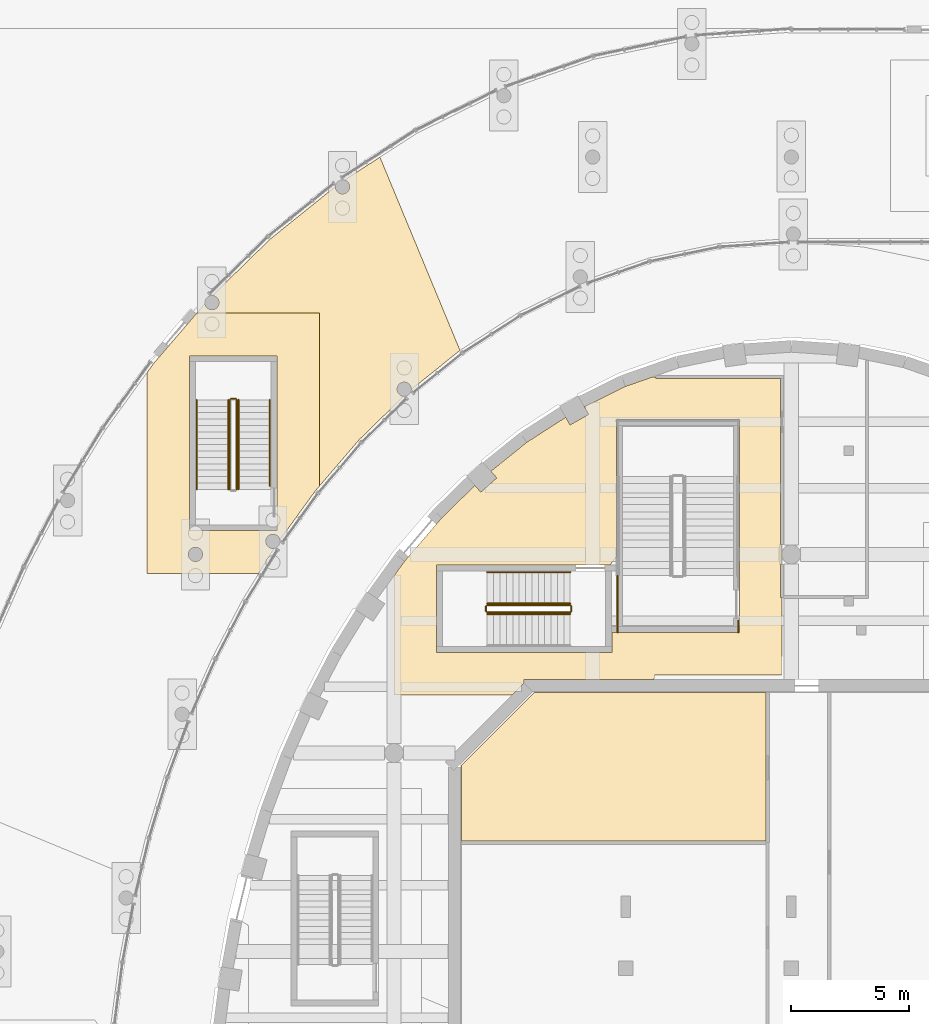
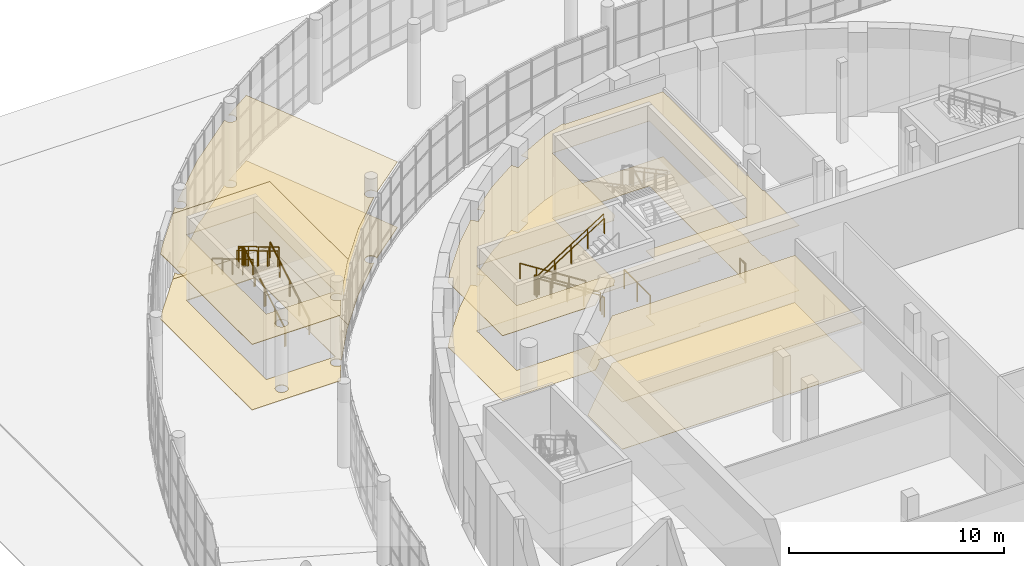
# One storey, part 100 of 110: 16 railings, 8 coverings.
"""IFC4 building model written with IfcOpenShell, lengths in metres."""

from ifc_helpers import new_model, si_unit, direction, frame, origin, origin_2d, place, context, subcontext, project, spatial, polyline, circle, outline, extrude, material, layer, layer_set, type_object, element, save


model = new_model("IFC4")

# Units and contexts
model_context = context("Model", 3, precision=1e-05, world=origin(), true_north=direction((0.0, 1.0)))
body_context = subcontext(model_context, "Body", "Model", "MODEL_VIEW")
ifc_project = project(units=[si_unit("LENGTHUNIT", "METRE"), si_unit("AREAUNIT", "SQUARE_METRE"), si_unit("VOLUMEUNIT", "CUBIC_METRE"), si_unit("PLANEANGLEUNIT", "RADIAN"), si_unit("MASSUNIT", "GRAM", prefix="KILO")], contexts=[model_context])

# Site, building, storey
site_placement = place(None, origin())
site = spatial("IfcSite", under=ifc_project, at=site_placement, CompositionType="ELEMENT")
building_placement = place(site_placement, origin())
building = spatial("IfcBuilding", under=site, at=building_placement, Name="Larchfold Concert Hall", CompositionType="ELEMENT")
storey_placement = place(building_placement, origin())
storey = spatial("IfcBuildingStorey", under=building, at=storey_placement, Name="L00", CompositionType="ELEMENT", Elevation=0.0)

# Coverings
ifc_material_1 = material(Name="Mineral fibre ceiling tile")
ifc_layer_1 = layer(ifc_material_1, 0.02001953125)
ifc_layer_set_1 = layer_set([ifc_layer_1], Name="Mineral fibre ceiling tile")
covering_type_1 = type_object("IfcCoveringType", Name="Ceiling mineral fibre tile 20", PredefinedType="CEILING", material=ifc_layer_set_1)
covering_1_placement = place(storey_placement, frame((0.0, 0.0, 2.68017578125)))
element("IfcCovering", 1, at=covering_1_placement, inside=storey, type_object=covering_type_1, Name="Ceiling Hall Store 02", PredefinedType="CEILING", context=body_context, shape_type="SweptSolid", body=[
    extrude(outline(polyline([(28.650146484375, 100.872314453125), (28.650146484375, 97.675048828125), (41.52490234375, 97.675048828125), (41.52490234375, 97.60009765625), (41.53759765625, 97.60009765625), (41.53759765625, 97.6201171875), (41.525146484375, 97.6201171875), (41.525146484375, 103.949951171875), (31.727783203125, 103.949951171875), (28.650146484375, 100.872314453125)])), origin(), (0.0, 0.0, 1.0), 0.02001953125),
])
covering_2_placement = place(storey_placement, frame((0.0, 0.0, 3.68017578125)))
element("IfcCovering", 2, at=covering_2_placement, inside=storey, type_object=covering_type_1, Name="Ceiling Undercroft Escape Corridor 08", PredefinedType="CEILING", context=body_context, shape_type="SweptSolid", body=[
    extrude(outline(polyline([(27.815185546875, 111.346435546875), (26.246337890625, 109.514892578125), (25.800048828125, 108.898681640625), (25.800048828125, 103.849853515625), (30.79638671875, 103.849853515625), (31.300048828125, 104.353515625), (31.300048828125, 104.5), (36.800048828125, 104.5), (36.80908203125, 104.699951171875), (42.199951171875, 104.699951171875), (42.199951171875, 107.97998046875), (42.137451171875, 107.97998046875), (42.137451171875, 109.380126953125), (42.199951171875, 109.380126953125), (42.199951171875, 110.219970703125), (42.137451171875, 110.219970703125), (42.137451171875, 117.237548828125), (36.8720703125, 117.235595703125), (36.8720703125, 117.300048828125), (36.717529296875, 117.300048828125), (35.591552734375, 116.907958984375), (33.841064453125, 116.04443359375), (34.025390625, 115.72021484375), (33.2431640625, 115.275390625), (33.057861328125, 115.600830078125), (31.41455078125, 114.541748046875), (29.889892578125, 113.314453125), (30.140869140625, 113.03271484375), (29.46875, 112.434326171875), (29.216796875, 112.717041015625), (27.815185546875, 111.346435546875)]), holes=[polyline([(34.94482421875, 109.37158203125), (35.199951171875, 109.690673828125), (35.199951171875, 115.5), (40.39990234375, 115.5), (40.39990234375, 106.5), (35.009765625, 106.491943359375), (35.010009765625, 105.658935546875), (35.0, 105.64990234375), (27.60009765625, 105.64990234375), (27.60009765625, 109.35009765625), (34.97412109375, 109.35009765625), (34.94482421875, 109.37158203125)])]), origin(), (0.0, 0.0, 1.0), 0.02001953125),
])
ifc_material_2 = material(Name="Plasterboard ceiling lining")
ifc_layer_2 = layer(ifc_material_2, 0.030029296875)
ifc_layer_set_2 = layer_set([ifc_layer_2], Name="Plasterboard ceiling lining")
covering_type_2 = type_object("IfcCoveringType", Name="Ceiling suspended plasterboard 30", PredefinedType="CEILING", material=ifc_layer_set_2)
covering_3_placement = place(storey_placement, frame((0.0, 0.0, 3.719970703125)))
element("IfcCovering", 3, at=covering_3_placement, inside=storey, type_object=covering_type_2, Name="Ceiling Foyer 01", PredefinedType="CEILING", context=body_context, shape_type="SweptSolid", body=[
    extrude(outline(polyline([(15.6357421875, 117.87939453125), (15.350341796875, 117.485595703125), (15.350830078125, 109.0009765625), (20.0810546875, 109.0009765625), (20.73046875, 110.056396484375), (20.638916015625, 110.0537109375), (20.563232421875, 110.073974609375), (20.495361328125, 110.113037109375), (20.43994140625, 110.16845703125), (20.418212890625, 110.201171875), (20.40087890625, 110.236328125), (20.380615234375, 110.31201171875), (20.380615234375, 110.39013671875), (20.40087890625, 110.4658203125), (20.43994140625, 110.53369140625), (20.495361328125, 110.589111328125), (20.563232421875, 110.628173828125), (20.600341796875, 110.640869140625), (20.677978515625, 110.651123046875), (20.755615234375, 110.640869140625), (20.827880859375, 110.61083984375), (20.89013671875, 110.563232421875), (20.937744140625, 110.5009765625), (20.970703125, 110.4140625), (22.4736328125, 112.489013671875), (22.6494140625, 112.694091796875), (22.649169921875, 119.9990234375), (17.451416015625, 119.999267578125), (15.6357421875, 117.87939453125)]), holes=[polyline([(17.14990234375, 110.800048828125), (17.14990234375, 118.199951171875), (20.842529296875, 118.199951171875), (20.85009765625, 118.196044921875), (20.85009765625, 110.800048828125), (17.14990234375, 110.800048828125)]), polyline([(17.187744140625, 109.587890625), (17.14013671875, 109.650146484375), (17.122802734375, 109.685302734375), (17.1025390625, 109.760986328125), (17.099853515625, 109.800048828125), (17.1025390625, 109.839111328125), (17.122802734375, 109.914794921875), (17.14013671875, 109.949951171875), (17.187744140625, 110.01220703125), (17.21728515625, 110.0380859375), (17.28515625, 110.0771484375), (17.36083984375, 110.097412109375), (17.39990234375, 110.10009765625), (17.43896484375, 110.097412109375), (17.5146484375, 110.0771484375), (17.58251953125, 110.0380859375), (17.612060546875, 110.01220703125), (17.65966796875, 109.949951171875), (17.677001953125, 109.914794921875), (17.697265625, 109.839111328125), (17.699951171875, 109.800048828125), (17.697265625, 109.760986328125), (17.677001953125, 109.685302734375), (17.65966796875, 109.650146484375), (17.612060546875, 109.587890625), (17.58251953125, 109.56201171875), (17.5146484375, 109.52294921875), (17.43896484375, 109.502685546875), (17.39990234375, 109.5), (17.36083984375, 109.502685546875), (17.28515625, 109.52294921875), (17.21728515625, 109.56201171875), (17.187744140625, 109.587890625)])]), origin(), (0.0, 0.0, 1.0), 0.030029296875),
])
covering_4_placement = place(storey_placement, frame((0.0, 0.0, 3.719970703125)))
element("IfcCovering", 4, at=covering_4_placement, inside=storey, type_object=covering_type_2, Name="Ceiling Winter Garden Concourse North West 01", PredefinedType="CEILING", context=body_context, shape_type="SweptSolid", body=[
    extrude(outline(polyline([(17.799560546875, 120.405517578125), (17.4521484375, 120.0), (22.64794921875, 119.996337890625), (22.650146484375, 112.69482421875), (24.3076171875, 114.630126953125), (26.20703125, 116.4873046875), (26.1142578125, 116.5087890625), (26.04638671875, 116.5478515625), (25.990966796875, 116.603271484375), (25.951904296875, 116.671142578125), (25.931640625, 116.746826171875), (25.931640625, 116.824951171875), (25.951904296875, 116.900634765625), (25.96923828125, 116.935791015625), (26.016845703125, 116.998046875), (26.0791015625, 117.045654296875), (26.1142578125, 117.06298828125), (26.18994140625, 117.083251953125), (26.26806640625, 117.083251953125), (26.34375, 117.06298828125), (26.41162109375, 117.02392578125), (26.467041015625, 116.968505859375), (26.48876953125, 116.935791015625), (26.518798828125, 116.863525390625), (26.528076171875, 116.77001953125), (28.5888671875, 118.4287109375), (25.203369140625, 126.599365234375), (23.699951171875, 125.63037109375), (23.77099609375, 125.600830078125), (23.8037109375, 125.5791015625), (23.859130859375, 125.523681640625), (23.898193359375, 125.455810546875), (23.91845703125, 125.380126953125), (23.91845703125, 125.302001953125), (23.898193359375, 125.226318359375), (23.859130859375, 125.158447265625), (23.8037109375, 125.10302734375), (23.73583984375, 125.06396484375), (23.66015625, 125.043701171875), (23.58203125, 125.043701171875), (23.50634765625, 125.06396484375), (23.47119140625, 125.081298828125), (23.408935546875, 125.12890625), (23.361328125, 125.191162109375), (23.331298828125, 125.263427734375), (23.322265625, 125.35791015625), (20.566650390625, 123.14013671875), (18.1162109375, 120.743896484375), (18.174560546875, 120.73486328125), (18.211669921875, 120.72216796875), (18.279541015625, 120.68310546875), (18.3349609375, 120.627685546875), (18.356689453125, 120.594970703125), (18.38671875, 120.522705078125), (18.39697265625, 120.445068359375), (18.394287109375, 120.406005859375), (18.3740234375, 120.330322265625), (18.3349609375, 120.262451171875), (18.279541015625, 120.20703125), (18.211669921875, 120.16796875), (18.135986328125, 120.147705078125), (18.057861328125, 120.147705078125), (17.982177734375, 120.16796875), (17.914306640625, 120.20703125), (17.85888671875, 120.262451171875), (17.81982421875, 120.330322265625), (17.799560546875, 120.405517578125)])), origin(), (0.0, 0.0, 1.0), 0.030029296875),
])
ifc_material_3 = material(Name="Polished terrazzo")
ifc_layer_3 = layer(ifc_material_3, 0.0400390625)
ifc_layer_set_3 = layer_set([ifc_layer_3], Name="Polished terrazzo")
covering_type_3 = type_object("IfcCoveringType", Name="Floor finish terrazzo 40", PredefinedType="FLOORING", material=ifc_layer_set_3)
covering_5_placement = place(storey_placement, origin())
element("IfcCovering", 5, at=covering_5_placement, inside=storey, type_object=covering_type_3, Name="Floor finish Foyer 01", PredefinedType="FLOORING", context=body_context, shape_type="SweptSolid", body=[
    extrude(outline(polyline([(15.6357421875, 117.87939453125), (15.350341796875, 117.485595703125), (15.350830078125, 109.0009765625), (20.0810546875, 109.0009765625), (20.73046875, 110.056396484375), (20.638916015625, 110.0537109375), (20.563232421875, 110.073974609375), (20.495361328125, 110.113037109375), (20.43994140625, 110.16845703125), (20.418212890625, 110.201171875), (20.40087890625, 110.236328125), (20.380615234375, 110.31201171875), (20.380615234375, 110.39013671875), (20.40087890625, 110.4658203125), (20.43994140625, 110.53369140625), (20.495361328125, 110.589111328125), (20.563232421875, 110.628173828125), (20.600341796875, 110.640869140625), (20.677978515625, 110.651123046875), (20.755615234375, 110.640869140625), (20.827880859375, 110.61083984375), (20.89013671875, 110.563232421875), (20.937744140625, 110.5009765625), (20.970703125, 110.4140625), (22.4736328125, 112.489013671875), (22.6494140625, 112.694091796875), (22.649169921875, 119.9990234375), (17.451416015625, 119.999267578125), (15.6357421875, 117.87939453125)]), holes=[polyline([(17.14990234375, 110.800048828125), (17.14990234375, 118.199951171875), (20.842529296875, 118.199951171875), (20.85009765625, 118.196044921875), (20.85009765625, 110.800048828125), (17.14990234375, 110.800048828125)]), polyline([(17.187744140625, 109.587890625), (17.14013671875, 109.650146484375), (17.122802734375, 109.685302734375), (17.1025390625, 109.760986328125), (17.099853515625, 109.800048828125), (17.1025390625, 109.839111328125), (17.122802734375, 109.914794921875), (17.14013671875, 109.949951171875), (17.187744140625, 110.01220703125), (17.21728515625, 110.0380859375), (17.28515625, 110.0771484375), (17.36083984375, 110.097412109375), (17.39990234375, 110.10009765625), (17.43896484375, 110.097412109375), (17.5146484375, 110.0771484375), (17.58251953125, 110.0380859375), (17.612060546875, 110.01220703125), (17.65966796875, 109.949951171875), (17.677001953125, 109.914794921875), (17.697265625, 109.839111328125), (17.699951171875, 109.800048828125), (17.697265625, 109.760986328125), (17.677001953125, 109.685302734375), (17.65966796875, 109.650146484375), (17.612060546875, 109.587890625), (17.58251953125, 109.56201171875), (17.5146484375, 109.52294921875), (17.43896484375, 109.502685546875), (17.39990234375, 109.5), (17.36083984375, 109.502685546875), (17.28515625, 109.52294921875), (17.21728515625, 109.56201171875), (17.187744140625, 109.587890625)])]), origin(), (0.0, 0.0, 1.0), 0.0400390625),
])
covering_6_placement = place(storey_placement, origin())
element("IfcCovering", 6, at=covering_6_placement, inside=storey, type_object=covering_type_3, Name="Floor finish Winter Garden Concourse North West 01", PredefinedType="FLOORING", context=body_context, shape_type="SweptSolid", body=[
    extrude(outline(polyline([(17.799560546875, 120.405517578125), (17.4521484375, 120.0), (22.64794921875, 119.996337890625), (22.650146484375, 112.69482421875), (24.3076171875, 114.630126953125), (26.20703125, 116.4873046875), (26.1142578125, 116.5087890625), (26.04638671875, 116.5478515625), (25.990966796875, 116.603271484375), (25.951904296875, 116.671142578125), (25.931640625, 116.746826171875), (25.931640625, 116.824951171875), (25.951904296875, 116.900634765625), (25.96923828125, 116.935791015625), (26.016845703125, 116.998046875), (26.0791015625, 117.045654296875), (26.1142578125, 117.06298828125), (26.18994140625, 117.083251953125), (26.26806640625, 117.083251953125), (26.34375, 117.06298828125), (26.41162109375, 117.02392578125), (26.467041015625, 116.968505859375), (26.48876953125, 116.935791015625), (26.518798828125, 116.863525390625), (26.528076171875, 116.77001953125), (28.5888671875, 118.4287109375), (25.203369140625, 126.599365234375), (23.699951171875, 125.63037109375), (23.77099609375, 125.600830078125), (23.8037109375, 125.5791015625), (23.859130859375, 125.523681640625), (23.898193359375, 125.455810546875), (23.91845703125, 125.380126953125), (23.91845703125, 125.302001953125), (23.898193359375, 125.226318359375), (23.859130859375, 125.158447265625), (23.8037109375, 125.10302734375), (23.73583984375, 125.06396484375), (23.66015625, 125.043701171875), (23.58203125, 125.043701171875), (23.50634765625, 125.06396484375), (23.47119140625, 125.081298828125), (23.408935546875, 125.12890625), (23.361328125, 125.191162109375), (23.331298828125, 125.263427734375), (23.322265625, 125.35791015625), (20.566650390625, 123.14013671875), (18.1162109375, 120.743896484375), (18.174560546875, 120.73486328125), (18.211669921875, 120.72216796875), (18.279541015625, 120.68310546875), (18.3349609375, 120.627685546875), (18.356689453125, 120.594970703125), (18.38671875, 120.522705078125), (18.39697265625, 120.445068359375), (18.394287109375, 120.406005859375), (18.3740234375, 120.330322265625), (18.3349609375, 120.262451171875), (18.279541015625, 120.20703125), (18.211669921875, 120.16796875), (18.135986328125, 120.147705078125), (18.057861328125, 120.147705078125), (17.982177734375, 120.16796875), (17.914306640625, 120.20703125), (17.85888671875, 120.262451171875), (17.81982421875, 120.330322265625), (17.799560546875, 120.405517578125)])), origin(), (0.0, 0.0, 1.0), 0.0400390625),
])
ifc_material_4 = material(Name="Linoleum sheet")
ifc_layer_4 = layer(ifc_material_4, 0.02001953125)
ifc_layer_set_4 = layer_set([ifc_layer_4], Name="Linoleum sheet")
covering_type_4 = type_object("IfcCoveringType", Name="Floor finish vinyl 20", PredefinedType="FLOORING", material=ifc_layer_set_4)
covering_7_placement = place(storey_placement, origin())
element("IfcCovering", 7, at=covering_7_placement, inside=storey, type_object=covering_type_4, Name="Floor finish Hall Store 02", PredefinedType="FLOORING", context=body_context, shape_type="SweptSolid", body=[
    extrude(outline(polyline([(28.650146484375, 100.872314453125), (28.650146484375, 97.675048828125), (41.52490234375, 97.675048828125), (41.52490234375, 97.60009765625), (41.53759765625, 97.60009765625), (41.53759765625, 97.6201171875), (41.525146484375, 97.6201171875), (41.525146484375, 103.949951171875), (31.727783203125, 103.949951171875), (28.650146484375, 100.872314453125)])), origin(), (0.0, 0.0, 1.0), 0.02001953125),
])
covering_8_placement = place(storey_placement, origin())
element("IfcCovering", 8, at=covering_8_placement, inside=storey, type_object=covering_type_4, Name="Floor finish Undercroft Escape Corridor 08", PredefinedType="FLOORING", context=body_context, shape_type="SweptSolid", body=[
    extrude(outline(polyline([(27.815185546875, 111.346435546875), (26.246337890625, 109.514892578125), (25.800048828125, 108.898681640625), (25.800048828125, 103.849853515625), (30.79638671875, 103.849853515625), (31.300048828125, 104.353515625), (31.300048828125, 104.5), (36.800048828125, 104.5), (36.80908203125, 104.699951171875), (42.199951171875, 104.699951171875), (42.199951171875, 107.97998046875), (42.137451171875, 107.97998046875), (42.137451171875, 109.380126953125), (42.199951171875, 109.380126953125), (42.199951171875, 110.219970703125), (42.137451171875, 110.219970703125), (42.137451171875, 117.237548828125), (36.8720703125, 117.235595703125), (36.8720703125, 117.300048828125), (36.717529296875, 117.300048828125), (35.591552734375, 116.907958984375), (33.841064453125, 116.04443359375), (34.025390625, 115.72021484375), (33.2431640625, 115.275390625), (33.057861328125, 115.600830078125), (31.41455078125, 114.541748046875), (29.889892578125, 113.314453125), (30.140869140625, 113.03271484375), (29.46875, 112.434326171875), (29.216796875, 112.717041015625), (27.815185546875, 111.346435546875)]), holes=[polyline([(34.94482421875, 109.37158203125), (35.199951171875, 109.690673828125), (35.199951171875, 115.5), (40.39990234375, 115.5), (40.39990234375, 106.5), (35.009765625, 106.491943359375), (35.010009765625, 105.658935546875), (35.0, 105.64990234375), (27.60009765625, 105.64990234375), (27.60009765625, 109.35009765625), (34.97412109375, 109.35009765625), (34.94482421875, 109.37158203125)])]), origin(), (0.0, 0.0, 1.0), 0.02001953125),
])

# Railings
ifc_material_5 = material(Name="Stainless steel balustrade", Category="steel")
railing_type_1 = type_object("IfcRailingType", Name="Stair guard 1100", PredefinedType="GUARDRAIL", material=ifc_material_5)
railing_1_placement = place(storey_placement, frame((33.25, 107.650146484375, 0.17138671875)))
element("IfcRailing", 9, at=railing_1_placement, inside=storey, type_object=railing_type_1, Name="Guard GR0009", PredefinedType="GUARDRAIL", context=body_context, shape_type="SweptSolid", body=[
    extrude(circle(Radius=0.02392578125, at=origin_2d()), frame((0.0, 0.0, 1.076171875), z_axis=(-0.844219563411, 0.0, 0.53599750816), x_axis=(0.0, -1.0, 0.0)), (0.0, 0.0, 1.0), 4.15771484375),
    extrude(circle(Radius=0.02099609375, at=origin_2d()), origin(), (0.0, 0.0, 1.0), 1.052001953125),
    extrude(circle(Radius=0.02099609375, at=origin_2d()), frame((-0.87744140625, 0.0, 0.55712890625)), (0.0, 0.0, 1.0), 1.052001953125),
    extrude(circle(Radius=0.02099609375, at=origin_2d()), frame((-1.7548828125, 0.0, 1.1142578125)), (0.0, 0.0, 1.0), 1.052001953125),
    extrude(circle(Radius=0.02099609375, at=origin_2d()), frame((-2.632568359375, 0.0, 1.67138671875)), (0.0, 0.0, 1.0), 1.052001953125),
    extrude(circle(Radius=0.02099609375, at=origin_2d()), frame((-3.510009765625, 0.0, 2.228515625)), (0.0, 0.0, 1.0), 1.052001953125),
])
railing_2_placement = place(storey_placement, frame((29.68994140625, 107.60009765625, 2.39990234375)))
element("IfcRailing", 10, at=railing_2_placement, inside=storey, type_object=railing_type_1, Name="Guard GR0010", PredefinedType="GUARDRAIL", context=body_context, shape_type="SweptSolid", body=[
    extrude(circle(Radius=0.02392578125, at=origin_2d()), frame((0.0, 0.0, 1.076171875), z_axis=(0.0, -1.0, 0.0), x_axis=(1.0, 0.0, 0.0)), (0.0, 0.0, 1.0), 0.199951171875),
    extrude(circle(Radius=0.02099609375, at=origin_2d()), origin(), (0.0, 0.0, 1.0), 1.052001953125),
    extrude(circle(Radius=0.02099609375, at=origin_2d()), frame((0.0, -0.199951171875, 0.0)), (0.0, 0.0, 1.0), 1.052001953125),
])
railing_3_placement = place(storey_placement, frame((29.739990234375, 107.35009765625, 2.571533203125)))
element("IfcRailing", 11, at=railing_3_placement, inside=storey, type_object=railing_type_1, Name="Guard GR0011", PredefinedType="GUARDRAIL", context=body_context, shape_type="SweptSolid", body=[
    extrude(circle(Radius=0.02392578125, at=origin_2d()), frame((0.0, 0.0, 1.076171875), z_axis=(0.844219563411, 0.0, 0.53599750816), x_axis=(0.0, 1.0, 0.0)), (0.0, 0.0, 1.0), 4.15771484375),
    extrude(circle(Radius=0.02099609375, at=origin_2d()), origin(), (0.0, 0.0, 1.0), 1.052001953125),
    extrude(circle(Radius=0.02099609375, at=origin_2d()), frame((0.87744140625, 0.0, 0.55712890625)), (0.0, 0.0, 1.0), 1.052001953125),
    extrude(circle(Radius=0.02099609375, at=origin_2d()), frame((1.7548828125, 0.0, 1.1142578125)), (0.0, 0.0, 1.0), 1.052001953125),
    extrude(circle(Radius=0.02099609375, at=origin_2d()), frame((2.632568359375, 0.0, 1.67138671875)), (0.0, 0.0, 1.0), 1.052001953125),
    extrude(circle(Radius=0.02099609375, at=origin_2d()), frame((3.510009765625, 0.0, 2.228515625)), (0.0, 0.0, 1.0), 1.052001953125),
])
railing_4_placement = place(storey_placement, frame((33.300048828125, 107.60009765625, 0.0)))
element("IfcRailing", 12, at=railing_4_placement, inside=storey, type_object=railing_type_1, Name="Guard GR0012", PredefinedType="GUARDRAIL", context=body_context, shape_type="SweptSolid", body=[
    extrude(circle(Radius=0.02392578125, at=origin_2d()), frame((0.0, 0.0, 1.076171875), z_axis=(0.0, -1.0, 0.0), x_axis=(1.0, 0.0, 0.0)), (0.0, 0.0, 1.0), 0.199951171875),
    extrude(circle(Radius=0.02099609375, at=origin_2d()), origin(), (0.0, 0.0, 1.0), 1.052001953125),
    extrude(circle(Radius=0.02099609375, at=origin_2d()), frame((0.0, -0.199951171875, 0.0)), (0.0, 0.0, 1.0), 1.052001953125),
])
railing_5_placement = place(storey_placement, frame((19.150146484375, 112.550048828125, 0.159912109375)))
element("IfcRailing", 13, at=railing_5_placement, inside=storey, type_object=railing_type_1, Name="Guard GR0101", PredefinedType="GUARDRAIL", context=body_context, shape_type="SweptSolid", body=[
    extrude(circle(Radius=0.02392578125, at=origin_2d()), frame((0.0, 0.0, 1.076171875), z_axis=(0.0, 0.860294241299, 0.509797821089), x_axis=(-1.0, 0.0, 0.0)), (0.0, 0.0, 1.0), 4.393798828125),
    extrude(circle(Radius=0.02099609375, at=origin_2d()), origin(), (0.0, 0.0, 1.0), 1.052001953125),
    extrude(circle(Radius=0.02099609375, at=origin_2d()), frame((0.0, 0.945068359375, 0.56005859375)), (0.0, 0.0, 1.0), 1.052001953125),
    extrude(circle(Radius=0.02099609375, at=origin_2d()), frame((0.0, 1.89013671875, 1.1201171875)), (0.0, 0.0, 1.0), 1.052001953125),
    extrude(circle(Radius=0.02099609375, at=origin_2d()), frame((0.0, 2.8349609375, 1.679931640625)), (0.0, 0.0, 1.0), 1.052001953125),
    extrude(circle(Radius=0.02099609375, at=origin_2d()), frame((0.0, 3.780029296875, 2.239990234375)), (0.0, 0.0, 1.0), 1.052001953125),
])
railing_6_placement = place(storey_placement, frame((19.10009765625, 116.380126953125, 2.39990234375)))
element("IfcRailing", 14, at=railing_6_placement, inside=storey, type_object=railing_type_1, Name="Guard GR0102", PredefinedType="GUARDRAIL", context=body_context, shape_type="SweptSolid", body=[
    extrude(circle(Radius=0.02392578125, at=origin_2d()), frame((0.0, 0.0, 1.076171875), z_axis=(-1.0, 0.0, 0.0), x_axis=(0.0, -1.0, 0.0)), (0.0, 0.0, 1.0), 0.199951171875),
    extrude(circle(Radius=0.02099609375, at=origin_2d()), origin(), (0.0, 0.0, 1.0), 1.052001953125),
    extrude(circle(Radius=0.02099609375, at=origin_2d()), frame((-0.199951171875, 0.0, 0.0)), (0.0, 0.0, 1.0), 1.052001953125),
])
railing_7_placement = place(storey_placement, frame((18.85009765625, 116.330078125, 2.56005859375)))
element("IfcRailing", 15, at=railing_7_placement, inside=storey, type_object=railing_type_1, Name="Guard GR0103", PredefinedType="GUARDRAIL", context=body_context, shape_type="SweptSolid", body=[
    extrude(circle(Radius=0.02392578125, at=origin_2d()), frame((0.0, 0.0, 1.076171875), z_axis=(0.0, -0.860294241299, 0.509797821089), x_axis=(1.0, 0.0, 0.0)), (0.0, 0.0, 1.0), 4.393798828125),
    extrude(circle(Radius=0.02099609375, at=origin_2d()), origin(), (0.0, 0.0, 1.0), 1.052001953125),
    extrude(circle(Radius=0.02099609375, at=origin_2d()), frame((0.0, -0.945068359375, 0.56005859375)), (0.0, 0.0, 1.0), 1.052001953125),
    extrude(circle(Radius=0.02099609375, at=origin_2d()), frame((0.0, -1.89013671875, 1.1201171875)), (0.0, 0.0, 1.0), 1.052001953125),
    extrude(circle(Radius=0.02099609375, at=origin_2d()), frame((0.0, -2.8349609375, 1.679931640625)), (0.0, 0.0, 1.0), 1.052001953125),
    extrude(circle(Radius=0.02099609375, at=origin_2d()), frame((0.0, -3.780029296875, 2.239990234375)), (0.0, 0.0, 1.0), 1.052001953125),
])
railing_8_placement = place(storey_placement, frame((40.349853515625, 106.5, 0.0)))
element("IfcRailing", 16, at=railing_8_placement, inside=storey, type_object=railing_type_1, Name="Guard GR0116", PredefinedType="GUARDRAIL", context=body_context, shape_type="SweptSolid", body=[
    extrude(circle(Radius=0.02392578125, at=origin_2d()), frame((0.0, 0.0, 1.076171875), z_axis=(0.0, 1.0, 0.0), x_axis=(-1.0, 0.0, 0.0)), (0.0, 0.0, 1.0), 0.5),
    extrude(circle(Radius=0.02099609375, at=origin_2d()), origin(), (0.0, 0.0, 1.0), 1.052001953125),
    extrude(circle(Radius=0.02099609375, at=origin_2d()), frame((0.0, 0.5, 0.0)), (0.0, 0.0, 1.0), 1.052001953125),
])
railing_9_placement = place(storey_placement, frame((35.25, 106.5, 0.0)))
element("IfcRailing", 17, at=railing_9_placement, inside=storey, type_object=railing_type_1, Name="Guard GR0117", PredefinedType="GUARDRAIL", context=body_context, shape_type="SweptSolid", body=[
    extrude(circle(Radius=0.02392578125, at=origin_2d()), frame((0.0, 0.0, 1.076171875), z_axis=(0.0, 1.0, 0.0), x_axis=(-1.0, 0.0, 0.0)), (0.0, 0.0, 1.0), 2.39990234375),
    extrude(circle(Radius=0.02099609375, at=origin_2d()), origin(), (0.0, 0.0, 1.0), 1.052001953125),
    extrude(circle(Radius=0.02099609375, at=origin_2d()), frame((0.0, 1.199951171875, 0.0)), (0.0, 0.0, 1.0), 1.052001953125),
    extrude(circle(Radius=0.02099609375, at=origin_2d()), frame((0.0, 2.39990234375, 0.0)), (0.0, 0.0, 1.0), 1.052001953125),
])
ifc_material_6 = material(Name="Stainless steel handrail", Category="steel")
railing_type_2 = type_object("IfcRailingType", Name="Stair handrail 900", PredefinedType="HANDRAIL", material=ifc_material_6)
for number, where, name in (
    (18, (33.25, 109.050048828125, 0.17138671875), "Handrail HR0009"),
    (19, (33.25, 107.72021484375, 0.17138671875), "Handrail HR0011"),
):
    element("IfcRailing", number, at=place(storey_placement, frame(where)), inside=storey, type_object=railing_type_2, Name=name, PredefinedType="HANDRAIL", context=body_context, shape_type="SweptSolid", body=[
        extrude(circle(Radius=0.02392578125, at=origin_2d()), frame((0.0, 0.0, 0.8759765625), z_axis=(-0.844219563411, 0.0, 0.53599750816), x_axis=(0.0, -1.0, 0.0)), (0.0, 0.0, 1.0), 4.15771484375),
        extrude(circle(Radius=0.02099609375, at=origin_2d()), origin(), (0.0, 0.0, 1.0), 0.851806640625),
        extrude(circle(Radius=0.02099609375, at=origin_2d()), frame((-0.87744140625, 0.0, 0.55712890625)), (0.0, 0.0, 1.0), 0.851806640625),
        extrude(circle(Radius=0.02099609375, at=origin_2d()), frame((-1.7548828125, 0.0, 1.1142578125)), (0.0, 0.0, 1.0), 0.851806640625),
        extrude(circle(Radius=0.02099609375, at=origin_2d()), frame((-2.632568359375, 0.0, 1.67138671875)), (0.0, 0.0, 1.0), 0.851806640625),
        extrude(circle(Radius=0.02099609375, at=origin_2d()), frame((-3.510009765625, 0.0, 2.228515625)), (0.0, 0.0, 1.0), 0.851806640625),
    ])
railing_10_placement = place(storey_placement, frame((29.739990234375, 107.280029296875, 2.571533203125)))
element("IfcRailing", 20, at=railing_10_placement, inside=storey, type_object=railing_type_2, Name="Handrail HR0012", PredefinedType="HANDRAIL", context=body_context, shape_type="SweptSolid", body=[
    extrude(circle(Radius=0.02392578125, at=origin_2d()), frame((0.0, 0.0, 0.8759765625), z_axis=(0.844219563411, 0.0, 0.53599750816), x_axis=(0.0, 1.0, 0.0)), (0.0, 0.0, 1.0), 4.15771484375),
    extrude(circle(Radius=0.02099609375, at=origin_2d()), origin(), (0.0, 0.0, 1.0), 0.851806640625),
    extrude(circle(Radius=0.02099609375, at=origin_2d()), frame((0.87744140625, 0.0, 0.55712890625)), (0.0, 0.0, 1.0), 0.851806640625),
    extrude(circle(Radius=0.02099609375, at=origin_2d()), frame((1.7548828125, 0.0, 1.1142578125)), (0.0, 0.0, 1.0), 0.851806640625),
    extrude(circle(Radius=0.02099609375, at=origin_2d()), frame((2.632568359375, 0.0, 1.67138671875)), (0.0, 0.0, 1.0), 0.851806640625),
    extrude(circle(Radius=0.02099609375, at=origin_2d()), frame((3.510009765625, 0.0, 2.228515625)), (0.0, 0.0, 1.0), 0.851806640625),
])
railing_11_placement = place(storey_placement, frame((20.550048828125, 112.7001953125, 0.2490234375)))
element("IfcRailing", 21, at=railing_11_placement, inside=storey, type_object=railing_type_2, Name="Handrail HR0097", PredefinedType="HANDRAIL", context=body_context, shape_type="SweptSolid", body=[
    extrude(circle(Radius=0.02392578125, at=origin_2d()), frame((0.0, 0.0, 0.8759765625), z_axis=(0.0, 0.860308451506, 0.509773840313), x_axis=(-1.0, 0.0, 0.0)), (0.0, 0.0, 1.0), 4.21923828125),
    extrude(circle(Radius=0.02099609375, at=origin_2d()), origin(), (0.0, 0.0, 1.0), 0.851806640625),
    extrude(circle(Radius=0.02099609375, at=origin_2d()), frame((0.0, 0.907470703125, 0.53759765625)), (0.0, 0.0, 1.0), 0.851806640625),
    extrude(circle(Radius=0.02099609375, at=origin_2d()), frame((0.0, 1.81494140625, 1.075439453125)), (0.0, 0.0, 1.0), 0.851806640625),
    extrude(circle(Radius=0.02099609375, at=origin_2d()), frame((0.0, 2.722412109375, 1.61328125)), (0.0, 0.0, 1.0), 0.851806640625),
    extrude(circle(Radius=0.02099609375, at=origin_2d()), frame((0.0, 3.6298828125, 2.15087890625)), (0.0, 0.0, 1.0), 0.851806640625),
])
railing_12_placement = place(storey_placement, frame((17.4501953125, 116.330078125, 2.56005859375)))
element("IfcRailing", 22, at=railing_12_placement, inside=storey, type_object=railing_type_2, Name="Handrail HR0098", PredefinedType="HANDRAIL", context=body_context, shape_type="SweptSolid", body=[
    extrude(circle(Radius=0.02392578125, at=origin_2d()), frame((0.0, 0.0, 0.8759765625), z_axis=(0.0, -0.860294241299, 0.509797821089), x_axis=(1.0, 0.0, 0.0)), (0.0, 0.0, 1.0), 4.393798828125),
    extrude(circle(Radius=0.02099609375, at=origin_2d()), origin(), (0.0, 0.0, 1.0), 0.851806640625),
    extrude(circle(Radius=0.02099609375, at=origin_2d()), frame((0.0, -0.945068359375, 0.56005859375)), (0.0, 0.0, 1.0), 0.851806640625),
    extrude(circle(Radius=0.02099609375, at=origin_2d()), frame((0.0, -1.89013671875, 1.1201171875)), (0.0, 0.0, 1.0), 0.851806640625),
    extrude(circle(Radius=0.02099609375, at=origin_2d()), frame((0.0, -2.8349609375, 1.679931640625)), (0.0, 0.0, 1.0), 0.851806640625),
    extrude(circle(Radius=0.02099609375, at=origin_2d()), frame((0.0, -3.780029296875, 2.239990234375)), (0.0, 0.0, 1.0), 0.851806640625),
])
railing_13_placement = place(storey_placement, frame((19.22021484375, 112.550048828125, 0.159912109375)))
element("IfcRailing", 23, at=railing_13_placement, inside=storey, type_object=railing_type_2, Name="Handrail HR0099", PredefinedType="HANDRAIL", context=body_context, shape_type="SweptSolid", body=[
    extrude(circle(Radius=0.02392578125, at=origin_2d()), frame((0.0, 0.0, 0.8759765625), z_axis=(0.0, 0.860294241299, 0.509797821089), x_axis=(-1.0, 0.0, 0.0)), (0.0, 0.0, 1.0), 4.393798828125),
    extrude(circle(Radius=0.02099609375, at=origin_2d()), origin(), (0.0, 0.0, 1.0), 0.851806640625),
    extrude(circle(Radius=0.02099609375, at=origin_2d()), frame((0.0, 0.945068359375, 0.56005859375)), (0.0, 0.0, 1.0), 0.851806640625),
    extrude(circle(Radius=0.02099609375, at=origin_2d()), frame((0.0, 1.89013671875, 1.1201171875)), (0.0, 0.0, 1.0), 0.851806640625),
    extrude(circle(Radius=0.02099609375, at=origin_2d()), frame((0.0, 2.8349609375, 1.679931640625)), (0.0, 0.0, 1.0), 0.851806640625),
    extrude(circle(Radius=0.02099609375, at=origin_2d()), frame((0.0, 3.780029296875, 2.239990234375)), (0.0, 0.0, 1.0), 0.851806640625),
])
railing_14_placement = place(storey_placement, frame((18.780029296875, 116.330078125, 2.56005859375)))
element("IfcRailing", 24, at=railing_14_placement, inside=storey, type_object=railing_type_2, Name="Handrail HR0100", PredefinedType="HANDRAIL", context=body_context, shape_type="SweptSolid", body=[
    extrude(circle(Radius=0.02392578125, at=origin_2d()), frame((0.0, 0.0, 0.8759765625), z_axis=(0.0, -0.860294241299, 0.509797821089), x_axis=(1.0, 0.0, 0.0)), (0.0, 0.0, 1.0), 4.393798828125),
    extrude(circle(Radius=0.02099609375, at=origin_2d()), origin(), (0.0, 0.0, 1.0), 0.851806640625),
    extrude(circle(Radius=0.02099609375, at=origin_2d()), frame((0.0, -0.945068359375, 0.56005859375)), (0.0, 0.0, 1.0), 0.851806640625),
    extrude(circle(Radius=0.02099609375, at=origin_2d()), frame((0.0, -1.89013671875, 1.1201171875)), (0.0, 0.0, 1.0), 0.851806640625),
    extrude(circle(Radius=0.02099609375, at=origin_2d()), frame((0.0, -2.8349609375, 1.679931640625)), (0.0, 0.0, 1.0), 0.851806640625),
    extrude(circle(Radius=0.02099609375, at=origin_2d()), frame((0.0, -3.780029296875, 2.239990234375)), (0.0, 0.0, 1.0), 0.851806640625),
])

save(model, "model.ifc")
